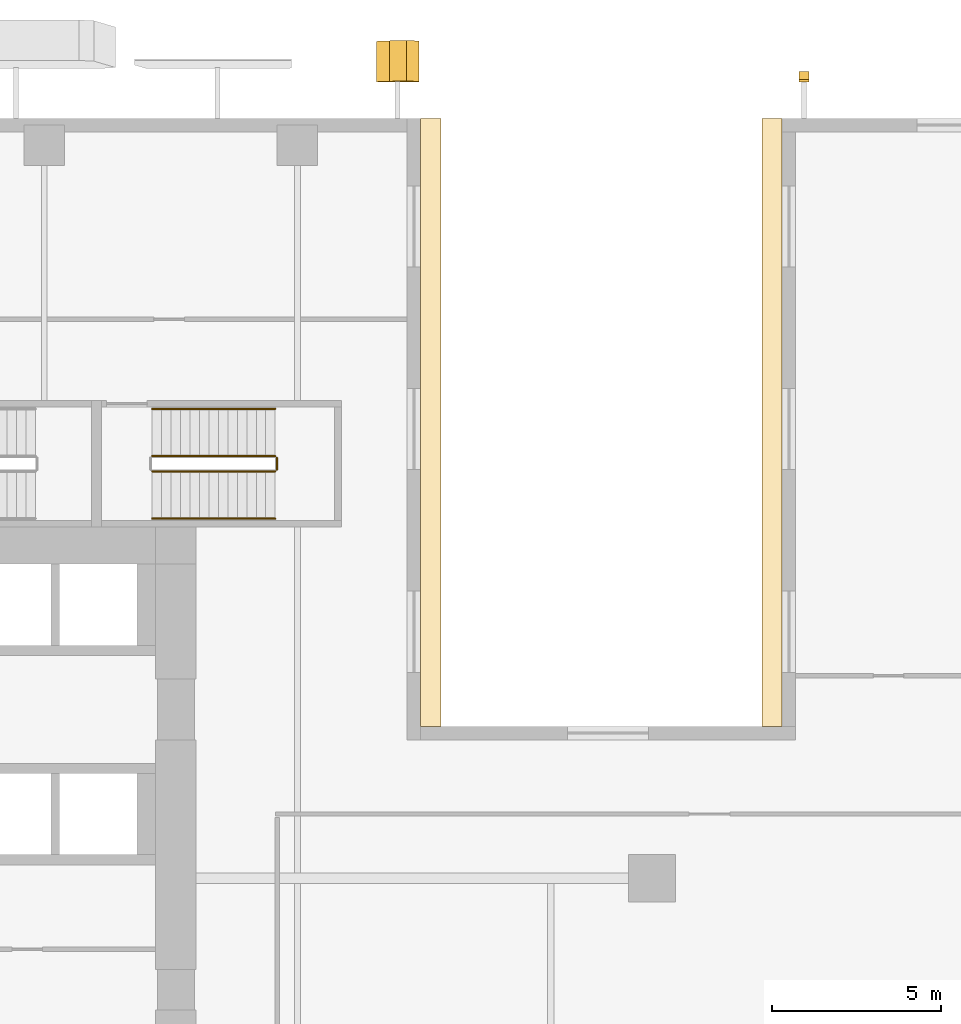
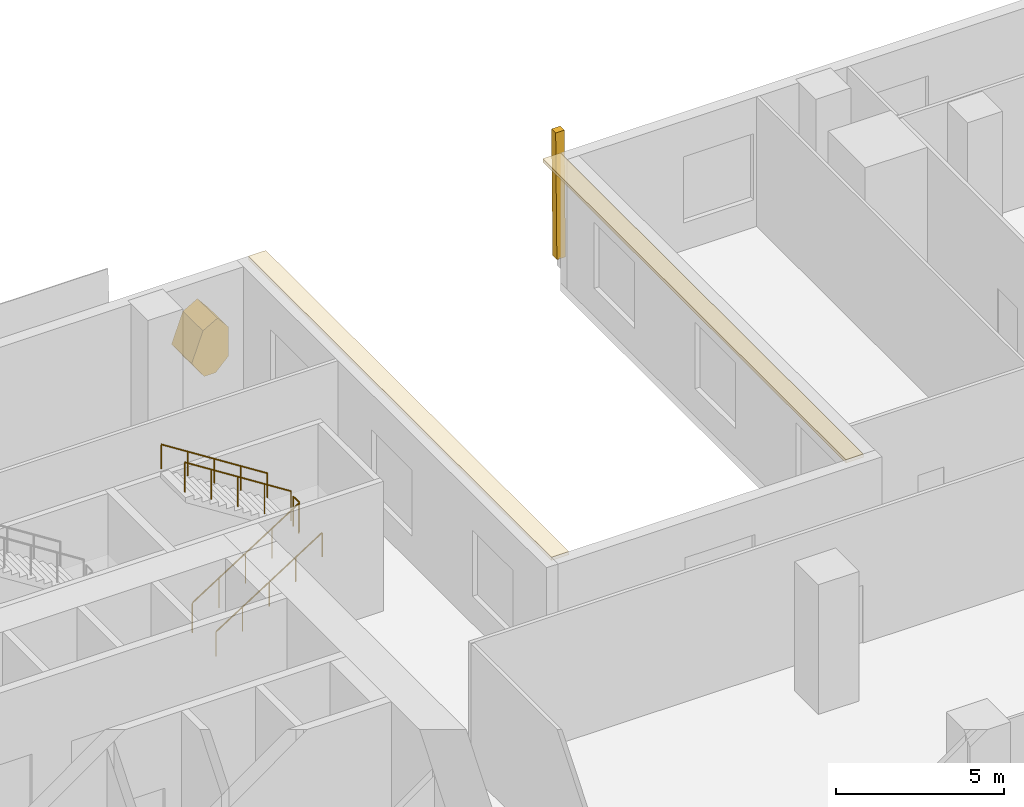
# One storey, part 20 of 23: 5 railings, 4 coverings.
"""IFC4 building model written with IfcOpenShell, lengths in metres."""

from ifc_helpers import new_model, si_unit, direction, frame, origin, origin_2d, place, context, subcontext, project, spatial, polyline, circle, outline, extrude, source, transform, mapped, material, layer, layer_set, type_object, element, save


model = new_model("IFC4")

# Units and contexts
model_context = context("Model", 3, precision=1e-05, world=origin(), true_north=direction((0.0, 1.0)))
body_context = subcontext(model_context, "Body", "Model", "MODEL_VIEW")
ifc_project = project(units=[si_unit("LENGTHUNIT", "METRE"), si_unit("AREAUNIT", "SQUARE_METRE"), si_unit("VOLUMEUNIT", "CUBIC_METRE"), si_unit("PLANEANGLEUNIT", "RADIAN"), si_unit("MASSUNIT", "GRAM", prefix="KILO")], contexts=[model_context])

# Site, building, storey
site_placement = place(None, origin())
site = spatial("IfcSite", under=ifc_project, at=site_placement, CompositionType="ELEMENT")
building_placement = place(site_placement, origin())
building = spatial("IfcBuilding", under=site, at=building_placement, Name="Khomas Fold Tower", CompositionType="ELEMENT")
storey_placement = place(building_placement, frame((0.0, 0.0, 18.5)))
storey = spatial("IfcBuildingStorey", under=building, at=storey_placement, Name="L03", CompositionType="ELEMENT", Elevation=18.5)

# Coverings
ifc_material_1 = material(Name="Natural stone cladding", Category="masonry")
ifc_layer_1 = layer(ifc_material_1, 0.25)
ifc_layer_set_1 = layer_set([ifc_layer_1], Name="Natural stone cladding")
covering_type_1 = type_object("IfcCoveringType", Name="SK-Karibib marble stone mullion", PredefinedType="CLADDING", material=ifc_layer_set_1)
covering_1_placement = place(storey_placement, frame((42.14990234375, 55.14453125, 4.550048828125), z_axis=(0.0, -0.999876441469, 0.015719471876), x_axis=(0.0, -0.015719471876, -0.999876441469)))
element("IfcCovering", 1, at=covering_1_placement, inside=storey, type_object=covering_type_1, Name="OUTER SKIN mullion L03 NM106-2", PredefinedType="CLADDING", context=body_context, shape_type="SweptSolid", body=[
    extrude(outline(polyline([(0.0, 0.0), (4.550611094948788, 0.0), (4.550611094948788, -0.2998046875), (0.0, -0.2998046875), (0.0, 0.0)])), origin(), (0.0, 0.0, -1.0), 0.25),
])
ifc_material_2 = material(Name="Natural stone cladding", Category="masonry")
ifc_layer_2 = layer(ifc_material_2, 1.199951171875)
ifc_layer_set_2 = layer_set([ifc_layer_2], Name="Natural stone cladding")
covering_type_2 = type_object("IfcCoveringType", Name="SK-Karibib marble stone panel", PredefinedType="CLADDING", material=ifc_layer_set_2)
covering_2_placement = place(storey_placement, frame((30.14990234375, 55.072998046875, 0.0), z_axis=(6.4212605e-05, -0.99987705177, 0.015680472572), x_axis=(-0.999999997938, -6.420471e-05, 1.006884e-06)))
element("IfcCovering", 2, at=covering_2_placement, inside=storey, type_object=covering_type_2, Name="OUTER SKIN leaf L03 NS08-2", PredefinedType="CLADDING", context=body_context, shape_type="SweptSolid", body=[
    extrude(outline(polyline([(0.0, 0.0), (0.3962402335580995, 0.0), (0.816894532794939, -0.6104258234888916), (0.42041015509585206, -1.6501052880590392), (-0.08154296684950418, -1.9323660602114259), (-0.45019531661408696, -1.4896863356436616), (-0.45019531309759625, -0.45000687107351395), (0.0, 0.0)])), origin(), (0.0, 0.0, -1.0), 1.199951171875),
])
ifc_material_3 = material(Name="Natural stone cladding", Category="masonry")
ifc_layer_3 = layer(ifc_material_3, 0.1201171875)
ifc_layer_set_3 = layer_set([ifc_layer_3], Name="Natural stone cladding")
covering_type_3 = type_object("IfcCoveringType", Name="Notch soffit stone GN-SF", PredefinedType="CLADDING", material=ifc_layer_set_3)
shared_shape_1 = source(origin(), body_context, "Body", "SweptSolid", [
    extrude(outline(polyline([(40.75, 54.0), (40.75, 36.0), (41.35009765625, 36.0), (41.35009765625, 54.0), (40.75, 54.0)])), origin(), (0.0, 0.0, 1.0), 0.119873046875),
])
covering_3_placement = place(storey_placement, frame((0.0, 0.0, 4.580078125)))
element("IfcCovering", 3, at=covering_3_placement, inside=storey, type_object=covering_type_3, Name="Notch soffit stone", PredefinedType="CLADDING", context=body_context, shape_type="MappedRepresentation", body=[
    mapped(shared_shape_1, transform((0.0, 0.0, 0.0))),
])
shared_shape_2 = source(origin(), body_context, "Body", "SweptSolid", [
    extrude(outline(polyline([(31.25, 36.0), (31.25, 54.0), (30.64990234375, 54.0), (30.64990234375, 36.0), (31.25, 36.0)])), origin(), (0.0, 0.0, 1.0), 0.119873046875),
])
covering_4_placement = place(storey_placement, frame((0.0, 0.0, 4.580078125)))
element("IfcCovering", 4, at=covering_4_placement, inside=storey, type_object=covering_type_3, Name="Notch soffit stone", PredefinedType="CLADDING", context=body_context, shape_type="MappedRepresentation", body=[
    mapped(shared_shape_2, transform((0.0, 0.0, 0.0))),
])

# Railings
ifc_material_4 = material(Name="Steel balustrade", Category="steel")
railing_type_1 = type_object("IfcRailingType", Name="Stair guard", PredefinedType="GUARDRAIL", material=ifc_material_4)
shared_shape_3 = source(origin(), body_context, "Body", "SweptSolid", [
    extrude(circle(Radius=0.02392578125, at=origin_2d()), frame((0.0, 0.0, 1.076171875), z_axis=(0.0, 1.0, 0.0), x_axis=(-1.0, 0.0, 0.0)), (0.0, 0.0, 1.0), 0.349853515625),
    extrude(circle(Radius=0.02099609375, at=origin_2d()), origin(), (0.0, 0.0, 1.0), 1.052001953125),
    extrude(circle(Radius=0.02099609375, at=origin_2d()), frame((0.0, 0.349853515625, 0.0)), (0.0, 0.0, 1.0), 1.052001953125),
])
railing_1_placement = place(storey_placement, frame((26.389892578125, 43.60009765625, 2.5)))
element("IfcRailing", 5, at=railing_1_placement, inside=storey, type_object=railing_type_1, Name="L03 ST3 stair guard 2", PredefinedType="GUARDRAIL", context=body_context, shape_type="MappedRepresentation", body=[
    mapped(shared_shape_3, transform((0.0, 0.0, 0.0))),
])
shared_shape_4 = source(origin(), body_context, "Body", "SweptSolid", [
    extrude(circle(Radius=0.02392578125, at=origin_2d()), frame((0.0, 0.0, 1.076171875), z_axis=(0.843127859045, 0.0, 0.537713132908), x_axis=(0.0, 1.0, 0.0)), (0.0, 0.0, 1.0), 4.3173828125),
    extrude(circle(Radius=0.02099609375, at=origin_2d()), origin(), (0.0, 0.0, 1.0), 1.052001953125),
    extrude(circle(Radius=0.02099609375, at=origin_2d()), frame((0.91015625, 0.0, 0.580322265625)), (0.0, 0.0, 1.0), 1.052001953125),
    extrude(circle(Radius=0.02099609375, at=origin_2d()), frame((1.820068359375, 0.0, 1.16064453125)), (0.0, 0.0, 1.0), 1.052001953125),
    extrude(circle(Radius=0.02099609375, at=origin_2d()), frame((2.72998046875, 0.0, 1.7412109375)), (0.0, 0.0, 1.0), 1.052001953125),
    extrude(circle(Radius=0.02099609375, at=origin_2d()), frame((3.64013671875, 0.0, 2.321533203125)), (0.0, 0.0, 1.0), 1.052001953125),
])
railing_2_placement = place(storey_placement, frame((22.699951171875, 43.550048828125, 0.178466796875)))
element("IfcRailing", 6, at=railing_2_placement, inside=storey, type_object=railing_type_1, Name="L03 ST3 stair guard 1", PredefinedType="GUARDRAIL", context=body_context, shape_type="MappedRepresentation", body=[
    mapped(shared_shape_4, transform((0.0, 0.0, 0.0))),
])
shared_shape_5 = source(origin(), body_context, "Body", "SweptSolid", [
    extrude(circle(Radius=0.02392578125, at=origin_2d()), frame((0.0, 0.0, 1.076171875), z_axis=(-0.843127859045, 0.0, 0.537713132908), x_axis=(0.0, -1.0, 0.0)), (0.0, 0.0, 1.0), 4.3173828125),
    extrude(circle(Radius=0.02099609375, at=origin_2d()), origin(), (0.0, 0.0, 1.0), 1.052001953125),
    extrude(circle(Radius=0.02099609375, at=origin_2d()), frame((-0.91015625, 0.0, 0.580322265625)), (0.0, 0.0, 1.0), 1.052001953125),
    extrude(circle(Radius=0.02099609375, at=origin_2d()), frame((-1.820068359375, 0.0, 1.16064453125)), (0.0, 0.0, 1.0), 1.052001953125),
    extrude(circle(Radius=0.02099609375, at=origin_2d()), frame((-2.72998046875, 0.0, 1.7412109375)), (0.0, 0.0, 1.0), 1.052001953125),
    extrude(circle(Radius=0.02099609375, at=origin_2d()), frame((-3.64013671875, 0.0, 2.321533203125)), (0.0, 0.0, 1.0), 1.052001953125),
])
railing_3_placement = place(storey_placement, frame((26.340087890625, 44.0, 2.678466796875)))
element("IfcRailing", 7, at=railing_3_placement, inside=storey, type_object=railing_type_1, Name="L03 ST3 stair guard 3", PredefinedType="GUARDRAIL", context=body_context, shape_type="MappedRepresentation", body=[
    mapped(shared_shape_5, transform((0.0, 0.0, 0.0))),
])
ifc_material_5 = material(Name="Steel handrail", Category="steel")
railing_type_2 = type_object("IfcRailingType", Name="Stair handrail", PredefinedType="HANDRAIL", material=ifc_material_5)
shared_shape_6 = source(origin(), body_context, "Body", "SweptSolid", [
    extrude(circle(Radius=0.02392578125, at=origin_2d()), frame((0.0, 0.0, 0.8759765625), z_axis=(0.843127859045, 0.0, 0.537713132908), x_axis=(0.0, 1.0, 0.0)), (0.0, 0.0, 1.0), 4.3173828125),
    extrude(circle(Radius=0.02099609375, at=origin_2d()), origin(), (0.0, 0.0, 1.0), 0.851806640625),
    extrude(circle(Radius=0.02099609375, at=origin_2d()), frame((0.91015625, 0.0, 0.580322265625)), (0.0, 0.0, 1.0), 0.851806640625),
    extrude(circle(Radius=0.02099609375, at=origin_2d()), frame((1.820068359375, 0.0, 1.16064453125)), (0.0, 0.0, 1.0), 0.851806640625),
    extrude(circle(Radius=0.02099609375, at=origin_2d()), frame((2.72998046875, 0.0, 1.7412109375)), (0.0, 0.0, 1.0), 0.851806640625),
    extrude(circle(Radius=0.02099609375, at=origin_2d()), frame((3.64013671875, 0.0, 2.321533203125)), (0.0, 0.0, 1.0), 0.851806640625),
])
railing_4_placement = place(storey_placement, frame((22.699951171875, 42.14990234375, 0.178466796875)))
element("IfcRailing", 8, at=railing_4_placement, inside=storey, type_object=railing_type_2, Name="L03 ST3 stair handrail 1", PredefinedType="HANDRAIL", context=body_context, shape_type="MappedRepresentation", body=[
    mapped(shared_shape_6, transform((0.0, 0.0, 0.0))),
])
shared_shape_7 = source(origin(), body_context, "Body", "SweptSolid", [
    extrude(circle(Radius=0.02392578125, at=origin_2d()), frame((0.0, 0.0, 0.8759765625), z_axis=(-0.843127859045, 0.0, 0.537713132908), x_axis=(0.0, -1.0, 0.0)), (0.0, 0.0, 1.0), 4.3173828125),
    extrude(circle(Radius=0.02099609375, at=origin_2d()), origin(), (0.0, 0.0, 1.0), 0.851806640625),
    extrude(circle(Radius=0.02099609375, at=origin_2d()), frame((-0.91015625, 0.0, 0.580322265625)), (0.0, 0.0, 1.0), 0.851806640625),
    extrude(circle(Radius=0.02099609375, at=origin_2d()), frame((-1.820068359375, 0.0, 1.16064453125)), (0.0, 0.0, 1.0), 0.851806640625),
    extrude(circle(Radius=0.02099609375, at=origin_2d()), frame((-2.72998046875, 0.0, 1.7412109375)), (0.0, 0.0, 1.0), 0.851806640625),
    extrude(circle(Radius=0.02099609375, at=origin_2d()), frame((-3.64013671875, 0.0, 2.321533203125)), (0.0, 0.0, 1.0), 0.851806640625),
])
railing_5_placement = place(storey_placement, frame((26.340087890625, 45.39990234375, 2.678466796875)))
element("IfcRailing", 9, at=railing_5_placement, inside=storey, type_object=railing_type_2, Name="L03 ST3 stair handrail 2", PredefinedType="HANDRAIL", context=body_context, shape_type="MappedRepresentation", body=[
    mapped(shared_shape_7, transform((0.0, 0.0, 0.0))),
])

save(model, "model.ifc")
